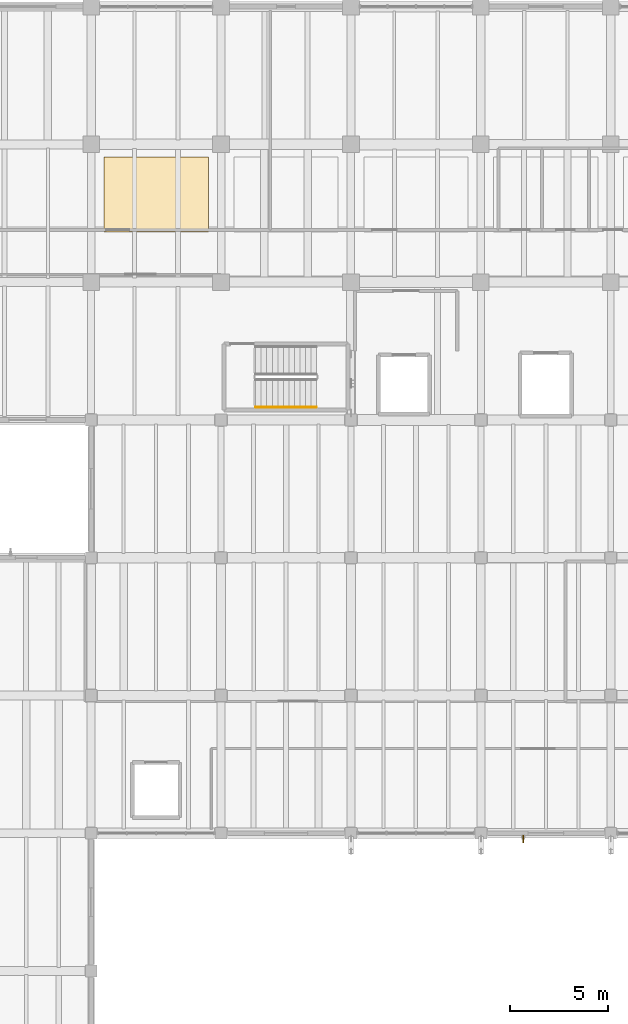
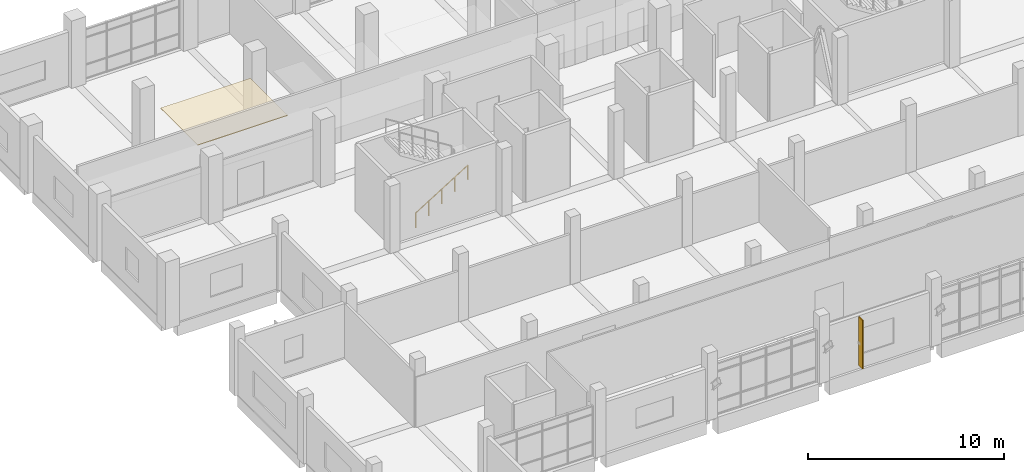
# One storey, part 64 of 68: 1 covering, 1 railing, 1 shading device.
"""IFC4 building model written with IfcOpenShell, lengths in metres."""

from ifc_helpers import new_model, si_unit, direction, frame, origin, origin_2d, place, context, subcontext, project, spatial, polyline, rectangle, circle, outline, extrude, material, layer, layer_set, material_profile, profile_set, type_object, element, save


model = new_model("IFC4")

# Units and contexts
model_context = context("Model", 3, precision=1e-05, world=origin(), true_north=direction((0.0, 1.0)))
body_context = subcontext(model_context, "Body", "Model", "MODEL_VIEW")
ifc_project = project(units=[si_unit("LENGTHUNIT", "METRE"), si_unit("AREAUNIT", "SQUARE_METRE"), si_unit("VOLUMEUNIT", "CUBIC_METRE"), si_unit("PLANEANGLEUNIT", "RADIAN"), si_unit("MASSUNIT", "GRAM", prefix="KILO")], contexts=[model_context])

# Site, building, storey
site_placement = place(None, origin())
site = spatial("IfcSite", under=ifc_project, at=site_placement, CompositionType="ELEMENT")
building_placement = place(site_placement, origin())
building = spatial("IfcBuilding", under=site, at=building_placement, Name="Ciguamira Faculty of Natural Sciences", CompositionType="ELEMENT")
storey_placement = place(building_placement, frame((0.0, 0.0, 4.199951171875)))
storey = spatial("IfcBuildingStorey", under=building, at=storey_placement, Name="L01", CompositionType="ELEMENT", Elevation=4.199951171875)

# Covering
ifc_material_1 = material(Name="Perforated white acoustic ceiling")
ifc_layer = layer(ifc_material_1, 0.0400390625, Name="Perforated white acoustic ceiling")
ifc_layer_set = layer_set([ifc_layer], Name="Perforated white acoustic ceiling")
covering_type = type_object("IfcCoveringType", Name="AcousticCeiling_AC01", PredefinedType="CEILING", material=ifc_layer_set)
covering_placement = place(storey_placement, frame((0.0, 0.0, 2.760009765625)))
element("IfcCovering", 1, at=covering_placement, inside=storey, type_object=covering_type, Name="L01 research bay 01 acoustic ceiling", PredefinedType="CEILING", context=body_context, shape_type="SweptSolid", body=[
    extrude(outline(polyline([(64.550048828125, 103.550048828125), (69.85009765625, 103.550048828125), (69.85009765625, 107.35009765625), (64.550048828125, 107.35009765625), (64.550048828125, 103.550048828125)])), origin(), (0.0, 0.0, 1.0), 0.0400390625),
])

# Railing
ifc_material_2 = material(Name="Stainless steel handrail", Category="steel")
railing_type = type_object("IfcRailingType", Name="Handrail_HR01", PredefinedType="HANDRAIL", material=ifc_material_2)
railing_placement = place(storey_placement, frame((72.260009765625, 94.64990234375, 0.35009765625)))
element("IfcRailing", 2, at=railing_placement, inside=storey, type_object=railing_type, Name="L01 ST-T1 stair handrail 1", PredefinedType="HANDRAIL", context=body_context, shape_type="SweptSolid", body=[
    extrude(circle(Radius=0.02392578125, at=origin_2d()), frame((0.0, 0.0, 0.89111328125), z_axis=(0.847998304005, 0.0, 0.529998940003), x_axis=(0.0, 1.0, 0.0)), (0.0, 0.0, 1.0), 3.632080078125),
    extrude(circle(Radius=0.02099609375, at=origin_2d()), origin(), (0.0, 0.0, 1.0), 0.866943359375),
    extrude(circle(Radius=0.02099609375, at=origin_2d()), frame((0.77001953125, 0.0, 0.481201171875)), (0.0, 0.0, 1.0), 0.866943359375),
    extrude(circle(Radius=0.02099609375, at=origin_2d()), frame((1.5400390625, 0.0, 0.96240234375)), (0.0, 0.0, 1.0), 0.866943359375),
    extrude(circle(Radius=0.02099609375, at=origin_2d()), frame((2.31005859375, 0.0, 1.44384765625)), (0.0, 0.0, 1.0), 0.866943359375),
    extrude(circle(Radius=0.02099609375, at=origin_2d()), frame((3.080078125, 0.0, 1.925048828125)), (0.0, 0.0, 1.0), 0.866943359375),
])

# Shading device
ifc_material_3 = material(Name="Anodized bronze sunshade fin")
ifc_material_profile = material_profile(ifc_material_3, rectangle(XDim=0.06494140625, YDim=0.3798828125, at=origin_2d()), Name="BRZ-FIN-65X380")
ifc_profile_set = profile_set([ifc_material_profile], Name="Anodized bronze sunshade fin")
shading_device_type = type_object("IfcShadingDeviceType", Name="SunFin_SF01", PredefinedType="USERDEFINED", material=ifc_profile_set)
shading_device_placement = place(storey_placement, frame((85.85009765625, 72.699951171875, 0.199951171875), z_axis=(0.0, 0.0, 1.0), x_axis=(1.0, 0.0, 0.0)))
element("IfcShadingDevice", 3, at=shading_device_placement, inside=storey, type_object=shading_device_type, Name="L01 bronze vertical sunshade fin 0016", ObjectType="SUNSHADE FIN", PredefinedType="USERDEFINED", context=body_context, shape_type="SweptSolid", body=[
    extrude(rectangle(XDim=0.06494140625, YDim=0.3798828125, at=origin_2d()), origin(), (0.0, 0.0, 1.0), 3.03515625),
])

save(model, "model.ifc")
